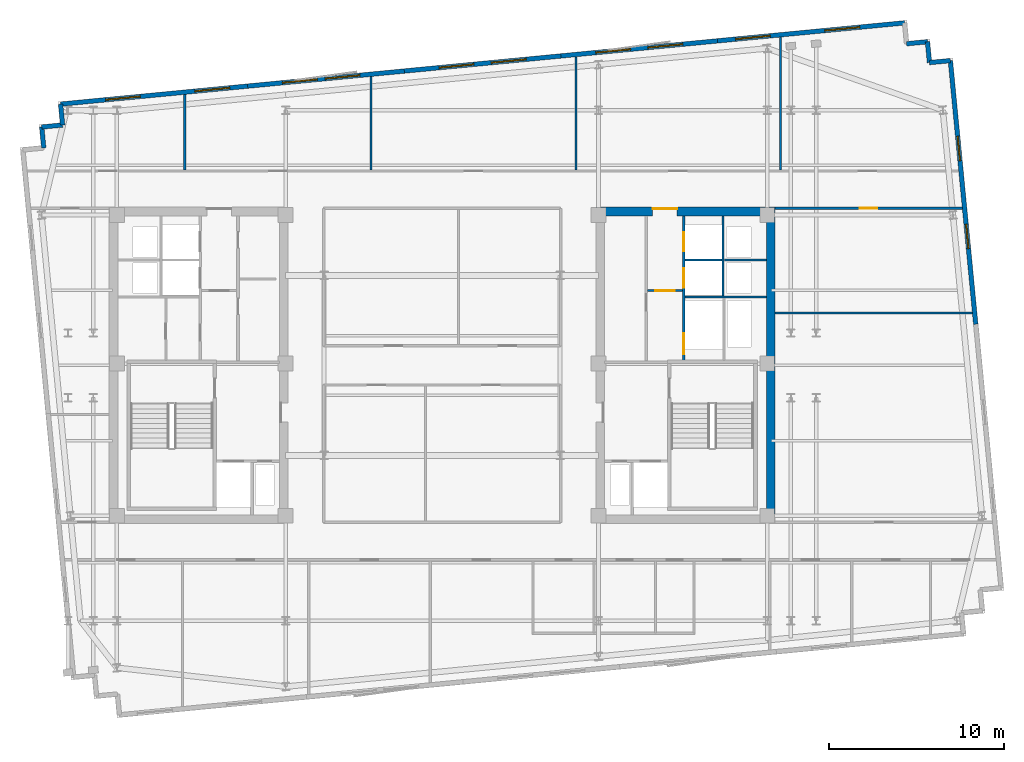
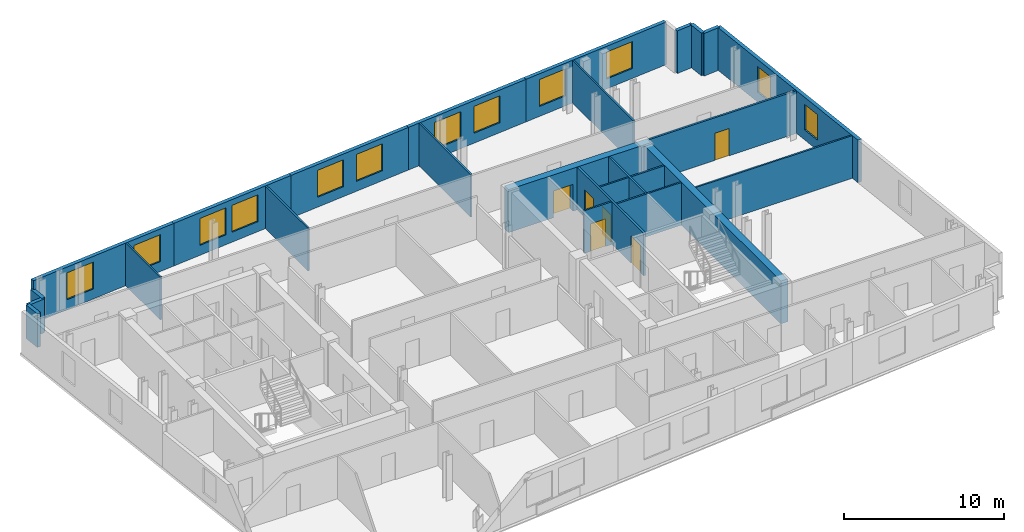
# One storey, part 6 of 9: 26 walls, 12 windows, 6 doors, 18 openings.
"""IFC4 building model written with IfcOpenShell, lengths in metres."""

import ifcopenshell
import ifcopenshell.guid

model = None  # the IFC model being written
_history = None  # IfcOwnerHistory: only IFC2X3 demands one
_inside = {}  # id of a spatial element -> (the spatial element, [elements in it])
_under = {}  # id of a project, library or spatial element -> (it, [spatial elements below it])
_declared = {}  # id of a project -> (the project, [libraries it declares])
_typed = {}  # id of a type object -> (the type object, [elements of that type])
_made_of = {}  # id of a material, layer set ... -> (it, [elements and type objects made of it])


def new_model(schema):
    """Start an empty IFC model of exactly this schema.

    Asked for "IFC4X3", IfcOpenShell would pick the latest addendum, in which some entities
    have other attributes; the version numbers below select the first issue.
    IFC2X3 requires an IfcOwnerHistory on every rooted entity: one is made here for all.
    """
    global model, _history
    if schema == "IFC4X3":
        model = ifcopenshell.file(schema_version=(4, 3, 0, 0))
    else:
        model = ifcopenshell.file(schema=schema)
    _inside.clear()
    _under.clear()
    _declared.clear()
    _typed.clear()
    _made_of.clear()
    _history = None
    if model.schema == "IFC2X3":
        org = make("IfcOrganization", Name="unknown")
        user = make(
            "IfcPersonAndOrganization",
            ThePerson=make("IfcPerson", FamilyName="unknown"),
            TheOrganization=org,
        )
        app = make(
            "IfcApplication",
            ApplicationDeveloper=org,
            Version="unknown",
            ApplicationFullName="unknown",
            ApplicationIdentifier="unknown",
        )
        _history = make(
            "IfcOwnerHistory",
            OwningUser=user,
            OwningApplication=app,
            ChangeAction="ADDED",
            CreationDate=0,
        )
    return model


def make(cls, **values):
    """One entity of the class cls with the attributes given. An attribute that is None is left unset."""
    return model.create_entity(
        cls, **{name: value for name, value in values.items() if value is not None}
    )


def rooted(cls, **values):
    """An entity with a GlobalId (a new one), such as an element, a storey or a relation."""
    return make(cls, GlobalId=ifcopenshell.guid.new(), OwnerHistory=_history, **values)


def si_unit(unit_type, name, prefix=None):
    """IfcSIUnit, for example si_unit("LENGTHUNIT", "METRE", prefix="MILLI")."""
    return make("IfcSIUnit", UnitType=unit_type, Prefix=prefix, Name=name)


def assignment(units):
    """IfcUnitAssignment: the units of a project."""
    return None if units is None else make("IfcUnitAssignment", Units=units)


def point(xyz):
    """IfcCartesianPoint."""
    return None if xyz is None else make("IfcCartesianPoint", Coordinates=xyz)


def direction(xyz):
    """IfcDirection."""
    return None if xyz is None else make("IfcDirection", DirectionRatios=xyz)


def frame(location, z_axis=None, x_axis=None):
    """IfcAxis2Placement3D, a coordinate frame: its origin and axes. An axis left out is left unset."""
    return make(
        "IfcAxis2Placement3D",
        Location=point(location),
        Axis=direction(z_axis),
        RefDirection=direction(x_axis),
    )


def frame_2d(location, x_axis=None):
    """IfcAxis2Placement2D, a coordinate frame in the plane: its origin and x axis."""
    return make(
        "IfcAxis2Placement2D", Location=point(location), RefDirection=direction(x_axis)
    )


def origin():
    """The frame at (0, 0, 0) with its axes left unset."""
    return frame((0.0, 0.0, 0.0))


def place(relative_to, where):
    """IfcLocalPlacement: puts the frame where relative to a parent placement (None: the world)."""
    return make(
        "IfcLocalPlacement", PlacementRelTo=relative_to, RelativePlacement=where
    )


def context(
    kind, dimensions, precision=None, world=None, true_north=None, identifier=None
):
    """IfcGeometricRepresentationContext, for example the 3D "Model" context."""
    return make(
        "IfcGeometricRepresentationContext",
        ContextIdentifier=identifier,
        ContextType=kind,
        CoordinateSpaceDimension=dimensions,
        Precision=precision,
        WorldCoordinateSystem=world,
        TrueNorth=true_north,
    )


def subcontext(parent, identifier, kind, view, scale=None):
    """IfcGeometricRepresentationSubContext, for example "Body" below "Model"."""
    return make(
        "IfcGeometricRepresentationSubContext",
        ContextIdentifier=identifier,
        ContextType=kind,
        ParentContext=parent,
        TargetScale=scale,
        TargetView=view,
    )


def project(units=None, contexts=None):
    """IfcProject with its units and contexts."""
    return rooted(
        "IfcProject",
        Name="project",
        RepresentationContexts=contexts,
        UnitsInContext=assignment(units),
    )


def spatial(cls, under=None, at=None, **own):
    """A site, building, storey or space (cls), placed at a placement, below another one or the project."""
    s = rooted(cls, ObjectPlacement=at, **own)
    if under is not None:
        _under.setdefault(under.id(), (under, []))[1].append(s)
    return s


def profile(cls, at=None, kind="AREA", **sizes):
    """A parametric profile (cls). Its sizes go by their IFC names, for example OverallWidth=200.0."""
    return make(cls, ProfileType=kind, Position=at, **sizes)


def rectangle(**sizes):
    """IfcRectangleProfileDef."""
    return profile("IfcRectangleProfileDef", **sizes)


def extrude(swept, where, along, depth):
    """IfcExtrudedAreaSolid: the profile swept, set in the frame where, extruded along a direction by depth."""
    return make(
        "IfcExtrudedAreaSolid",
        SweptArea=swept,
        Position=where,
        ExtrudedDirection=direction(along),
        Depth=depth,
    )


def shape(context_of_items, identifier, shape_type, items):
    """IfcShapeRepresentation: the items that make up one representation, for example the "Body"."""
    return make(
        "IfcShapeRepresentation",
        ContextOfItems=context_of_items,
        RepresentationIdentifier=identifier,
        RepresentationType=shape_type,
        Items=items,
    )


def material(Name=None, Category=None):
    """IfcMaterial."""
    return make("IfcMaterial", Name=Name, Category=Category)


def layer(
    of_material, thickness, ventilated=None, Name=None, Category=None, Priority=None
):
    """IfcMaterialLayer: one layer of a wall or slab, of a material (None: an air gap)."""
    return make(
        "IfcMaterialLayer",
        Material=of_material,
        LayerThickness=thickness,
        IsVentilated=ventilated,
        Name=Name,
        Category=Category,
        Priority=Priority,
    )


def layer_set(layers, Name=None):
    """IfcMaterialLayerSet."""
    return make("IfcMaterialLayerSet", MaterialLayers=layers, LayerSetName=Name)


def made_of(thing, what):
    """Note that an element or type object is made of a material, layer set ...; save() writes the relation."""
    if what is not None:
        _made_of.setdefault(what.id(), (what, []))[1].append(thing)
    return thing


def type_object(cls, material=None, **own):
    """A type object (cls), such as IfcWallType, which elements share."""
    return made_of(rooted(cls, **own), material)


def element(
    cls,
    number,
    at=None,
    inside=None,
    cuts=None,
    type_object=None,
    material=None,
    context=None,
    identifier="Body",
    shape_type=None,
    held_by="IfcProductDefinitionShape",
    body=None,
    shapes=None,
    **own,
):
    """One element of the class cls, such as IfcWall. Its Tag is "e" and its number.

    at: its placement. inside: the storey or other place that contains it. cuts: it is an
    opening in that element (IfcRelVoidsElement). A single representation is given by context,
    identifier, shape_type and body (its items); several are given by shapes. held_by: the class
    of the entity that holds the representations. save() writes the other relations.
    """
    e = rooted(cls, Tag="e%d" % number, ObjectPlacement=at, **own)
    if body is not None:
        shapes = [shape(context, identifier, shape_type, body)]
    if shapes is not None:
        e.Representation = make(held_by, Representations=shapes)
    if inside is not None:
        _inside.setdefault(inside.id(), (inside, []))[1].append(e)
    if cuts is not None:
        rooted(
            "IfcRelVoidsElement", RelatingBuildingElement=cuts, RelatedOpeningElement=e
        )
    if type_object is not None:
        _typed.setdefault(type_object.id(), (type_object, []))[1].append(e)
    return made_of(e, material)


def fill(opening, filler):
    """IfcRelFillsElement: the door or window that sits in an opening."""
    return rooted(
        "IfcRelFillsElement",
        RelatingOpeningElement=opening,
        RelatedBuildingElement=filler,
    )


def aggregate(whole, parts):
    """IfcRelAggregates: a whole, such as a stair, and the parts it consists of."""
    return rooted("IfcRelAggregates", RelatingObject=whole, RelatedObjects=parts)


def save(model, path):
    """Write the relations noted so far, then the file.

    IfcRelAggregates (storeys below a building ...), IfcRelContainedInSpatialStructure (elements
    in a storey), IfcRelDefinesByType, IfcRelAssociatesMaterial and IfcRelDeclares: one each for
    every whole, place, type object, material and project.
    """
    for whole, parts in _under.values():
        aggregate(whole, parts)
    for where, things in _inside.values():
        rooted(
            "IfcRelContainedInSpatialStructure",
            RelatedElements=things,
            RelatingStructure=where,
        )
    for kind, things in _typed.values():
        rooted("IfcRelDefinesByType", RelatedObjects=things, RelatingType=kind)
    for what, things in _made_of.values():
        rooted("IfcRelAssociatesMaterial", RelatedObjects=things, RelatingMaterial=what)
    for by, libraries in _declared.values():
        rooted("IfcRelDeclares", RelatingContext=by, RelatedDefinitions=libraries)
    model.write(path)


model = new_model("IFC4")

# Units and contexts
model_context = context("Model", 3, precision=1e-05, world=origin(), true_north=direction((0.0, 1.0)))
body_context = subcontext(model_context, "Body", "Model", "MODEL_VIEW")
ifc_project = project(units=[si_unit("LENGTHUNIT", "METRE"), si_unit("AREAUNIT", "SQUARE_METRE"), si_unit("VOLUMEUNIT", "CUBIC_METRE"), si_unit("PLANEANGLEUNIT", "RADIAN"), si_unit("MASSUNIT", "GRAM", prefix="KILO")], contexts=[model_context])

# Site, building, storey
site_placement = place(None, origin())
site = spatial("IfcSite", under=ifc_project, at=site_placement, CompositionType="ELEMENT")
building_placement = place(site_placement, origin())
building = spatial("IfcBuilding", under=site, at=building_placement, Name="Velakula Bourse", CompositionType="ELEMENT")
storey_placement = place(building_placement, frame((0.0, 0.0, 262.050048828125)))
storey = spatial("IfcBuildingStorey", under=building, at=storey_placement, Name="L71", CompositionType="ELEMENT", Elevation=262.050048828125)

# Wall, opening, door
ifc_material_1 = material(Name="Concrete M50 (fck 50 MPa)", Category="concrete")
ifc_layer_1 = layer(ifc_material_1, 0.5, Name="Concrete M50 (fck 50 MPa)", Category="concrete")
ifc_layer_set_1 = layer_set([ifc_layer_1], Name="Concrete M50 (fck 50 MPa)")
wall_type_1 = type_object("IfcWallType", Name="WL-CORE-500", PredefinedType="SHEAR", material=ifc_layer_set_1)
wall_1_placement = place(storey_placement, frame((8.800048828125, 8.800048828125, 0.0), z_axis=(0.0, 0.0, 1.0), x_axis=(1.0, 0.0, 0.0)))
wall_1 = element("IfcWall", 1, at=wall_1_placement, inside=storey, type_object=wall_type_1, Name="L71 Core E Shear Wall N", PredefinedType="SHEAR", context=body_context, shape_type="SweptSolid", body=[
    extrude(rectangle(XDim=10.25, YDim=0.5, at=frame_2d((5.125, 0.0))), origin(), (0.0, 0.0, 1.0), 3.27001953125),
])
opening_1_placement = place(wall_1_placement, frame((3.25, 0.0, 0.0)))
opening_1 = element("IfcOpeningElement", 2, at=opening_1_placement, cuts=wall_1, Name="Opening D-LLE", PredefinedType="OPENING", context=body_context, shape_type="SweptSolid", body=[
    extrude(rectangle(XDim=1.39990234375, YDim=2.050048828125, at=frame_2d((0.699951171875, 1.02490234375))), frame((0.0, 0.260009765625, 0.0), z_axis=(0.0, -1.0, 0.0), x_axis=(1.0, 0.0, 0.0)), (0.0, 0.0, 1.0), 0.52001953125),
])
ifc_material_2 = material(Name="Fire-rated hardwood flush architectural door", Category="wood")
door_type_1 = type_object("IfcDoorType", Name="DR-DBL-FD60-1400", OperationType="DOUBLE_DOOR_SINGLE_SWING", PredefinedType="DOOR", material=ifc_material_2)
door_1_placement = place(opening_1_placement, origin())
door_1 = element("IfcDoor", 3, at=door_1_placement, inside=storey, type_object=door_type_1, Name="L71 Core E Lift Lobby Corridor Double Door", OperationType="DOUBLE_DOOR_SINGLE_SWING", OverallHeight=2.050048828125, OverallWidth=1.39990234375, PredefinedType="DOOR", context=body_context, shape_type="SweptSolid", body=[
    extrude(rectangle(XDim=1.39990234375, YDim=2.050048828125, at=frame_2d((0.699951171875, 1.02490234375))), frame((0.0, 0.19482421875, 0.0), z_axis=(0.0, -1.0, 0.0), x_axis=(1.0, 0.0, 0.0)), (0.0, 0.0, 1.0), 0.050048828125),
])
fill(opening_1, door_1)

# Wall
wall_2_placement = place(storey_placement, frame((18.800048828125, -8.550048828125, 0.0), z_axis=(0.0, 0.0, 1.0), x_axis=(0.0, 1.0, 0.0)))
element("IfcWall", 4, at=wall_2_placement, inside=storey, type_object=wall_type_1, Name="L71 Core E Shear Wall E", PredefinedType="SHEAR", context=body_context, shape_type="SweptSolid", body=[
    extrude(rectangle(XDim=17.10009765625, YDim=0.5, at=frame_2d((8.550048828125, 0.0))), origin(), (0.0, 0.0, 1.0), 3.27001953125),
])

# Wall, openings, windows
ifc_material_3 = material(Name="Buff kilned clay facing brick masonry", Category="masonry")
ifc_layer_2 = layer(ifc_material_3, 0.260009765625, Name="Buff kilned clay facing brick masonry", Category="masonry")
ifc_layer_set_2 = layer_set([ifc_layer_2], Name="Buff kilned clay facing brick masonry")
wall_type_2 = type_object("IfcWallType", Name="WL-EXT-BRK-260", PredefinedType="STANDARD", material=ifc_layer_set_2)
wall_3_placement = place(storey_placement, frame((-21.820556640625, 14.94482421875, 0.0), z_axis=(0.0, 0.0, 1.0), x_axis=(0.995394787719, 0.095860401528, 0.0)))
wall_3 = element("IfcWall", 5, at=wall_3_placement, inside=storey, type_object=wall_type_2, Name="L71 N Brick Spandrel Wall B1", PredefinedType="STANDARD", context=body_context, shape_type="SweptSolid", body=[
    extrude(rectangle(XDim=10.750244140625, YDim=0.260009765625, at=frame_2d((5.375, 0.0))), origin(), (0.0, 0.0, 1.0), 3.25),
])
opening_2_placement = place(wall_3_placement, frame((2.583251953125, 0.0, 0.760009765625)))
opening_2 = element("IfcOpeningElement", 6, at=opening_2_placement, cuts=wall_3, Name="Opening W-05", PredefinedType="OPENING", context=body_context, shape_type="SweptSolid", body=[
    extrude(rectangle(XDim=2.0, YDim=2.050048828125, at=frame_2d((1.0, 1.02490234375))), frame((0.0, 0.139892578125, 0.0), z_axis=(0.0, -1.0, 0.0), x_axis=(1.0, 0.0, 0.0)), (0.0, 0.0, 1.0), 0.280029296875),
])
opening_3_placement = place(wall_3_placement, frame((7.716796875, 0.0, 0.760009765625)))
opening_3 = element("IfcOpeningElement", 7, at=opening_3_placement, cuts=wall_3, Name="Opening W-05", PredefinedType="OPENING", context=body_context, shape_type="SweptSolid", body=[
    extrude(rectangle(XDim=2.0, YDim=2.050048828125, at=frame_2d((1.0, 1.02490234375))), frame((0.0, 0.139892578125, 0.0), z_axis=(0.0, -1.0, 0.0), x_axis=(1.0, 0.0, 0.0)), (0.0, 0.0, 1.0), 0.280029296875),
])
ifc_material_4 = material(Name="Double-glazed solar-control Low-E glass", Category="glass")
window_type_1 = type_object("IfcWindowType", Name="WIN-TWR-2000x2200", PartitioningType="DOUBLE_PANEL_VERTICAL", PredefinedType="WINDOW", material=ifc_material_4)
window_1_placement = place(opening_2_placement, origin())
window_1 = element("IfcWindow", 8, at=window_1_placement, inside=storey, type_object=window_type_1, Name="L71 Deep-Set Recessed Window 1", OverallHeight=2.050048828125, OverallWidth=2.0, PartitioningType="DOUBLE_PANEL_VERTICAL", PredefinedType="WINDOW", context=body_context, shape_type="SweptSolid", body=[
    extrude(rectangle(XDim=2.0, YDim=2.050048828125, at=frame_2d((1.0, 1.02490234375))), frame((0.0, 0.030029296875, 0.0), z_axis=(0.0, -1.0, 0.0), x_axis=(1.0, 0.0, 0.0)), (0.0, 0.0, 1.0), 0.06005859375),
])
fill(opening_2, window_1)
window_2_placement = place(opening_3_placement, origin())
window_2 = element("IfcWindow", 9, at=window_2_placement, inside=storey, type_object=window_type_1, Name="L71 Deep-Set Recessed Window 2", OverallHeight=2.050048828125, OverallWidth=2.0, PartitioningType="DOUBLE_PANEL_VERTICAL", PredefinedType="WINDOW", context=body_context, shape_type="SweptSolid", body=[
    extrude(rectangle(XDim=2.0, YDim=2.050048828125, at=frame_2d((1.0, 1.02490234375))), frame((0.0, 0.030029296875, 0.0), z_axis=(0.0, -1.0, 0.0), x_axis=(1.0, 0.0, 0.0)), (0.0, 0.0, 1.0), 0.06005859375),
])
fill(opening_3, window_2)

wall_4_placement = place(storey_placement, frame((-11.119873046875, 15.975341796875, 0.0), z_axis=(0.0, 0.0, 1.0), x_axis=(0.995396794462, 0.09583956164, 0.0)))
wall_4 = element("IfcWall", 10, at=wall_4_placement, inside=storey, type_object=wall_type_2, Name="L71 N Brick Spandrel Wall B2", PredefinedType="STANDARD", context=body_context, shape_type="SweptSolid", body=[
    extrude(rectangle(XDim=9.0, YDim=0.260009765625, at=frame_2d((4.5, 0.0))), origin(), (0.0, 0.0, 1.0), 3.25),
])
opening_4_placement = place(wall_4_placement, frame((2.0, 0.0, 0.760009765625)))
opening_4 = element("IfcOpeningElement", 11, at=opening_4_placement, cuts=wall_4, Name="Opening W-05", PredefinedType="OPENING", context=body_context, shape_type="SweptSolid", body=[
    extrude(rectangle(XDim=2.0, YDim=2.050048828125, at=frame_2d((1.0, 1.02490234375))), frame((0.0, 0.139892578125, 0.0), z_axis=(0.0, -1.0, 0.0), x_axis=(1.0, 0.0, 0.0)), (0.0, 0.0, 1.0), 0.280029296875),
])
opening_5_placement = place(wall_4_placement, frame((4.449951171875, 0.0, 0.760009765625)))
opening_5 = element("IfcOpeningElement", 12, at=opening_5_placement, cuts=wall_4, Name="Opening W-05", PredefinedType="OPENING", context=body_context, shape_type="SweptSolid", body=[
    extrude(rectangle(XDim=2.0, YDim=2.050048828125, at=frame_2d((1.0, 1.02490234375))), frame((0.0, 0.139892578125, 0.0), z_axis=(0.0, -1.0, 0.0), x_axis=(1.0, 0.0, 0.0)), (0.0, 0.0, 1.0), 0.280029296875),
])
window_3_placement = place(opening_4_placement, origin())
window_3 = element("IfcWindow", 13, at=window_3_placement, inside=storey, type_object=window_type_1, Name="L71 Deep-Set Recessed Window 1", OverallHeight=2.050048828125, OverallWidth=2.0, PartitioningType="DOUBLE_PANEL_VERTICAL", PredefinedType="WINDOW", context=body_context, shape_type="SweptSolid", body=[
    extrude(rectangle(XDim=2.0, YDim=2.050048828125, at=frame_2d((1.0, 1.02490234375))), frame((0.0, 0.030029296875, 0.0), z_axis=(0.0, -1.0, 0.0), x_axis=(1.0, 0.0, 0.0)), (0.0, 0.0, 1.0), 0.06005859375),
])
fill(opening_4, window_3)
window_4_placement = place(opening_5_placement, origin())
window_4 = element("IfcWindow", 14, at=window_4_placement, inside=storey, type_object=window_type_1, Name="L71 Deep-Set Recessed Window 2", OverallHeight=2.050048828125, OverallWidth=2.0, PartitioningType="DOUBLE_PANEL_VERTICAL", PredefinedType="WINDOW", context=body_context, shape_type="SweptSolid", body=[
    extrude(rectangle(XDim=2.0, YDim=2.050048828125, at=frame_2d((1.0, 1.02490234375))), frame((0.0, 0.030029296875, 0.0), z_axis=(0.0, -1.0, 0.0), x_axis=(1.0, 0.0, 0.0)), (0.0, 0.0, 1.0), 0.06005859375),
])
fill(opening_5, window_4)

wall_5_placement = place(storey_placement, frame((-2.161376953125, 16.837890625, 0.0), z_axis=(0.0, 0.0, 1.0), x_axis=(0.995396794462, 0.09583956164, 0.0)))
wall_5 = element("IfcWall", 15, at=wall_5_placement, inside=storey, type_object=wall_type_2, Name="L71 N Brick Spandrel Wall B3", PredefinedType="STANDARD", context=body_context, shape_type="SweptSolid", body=[
    extrude(rectangle(XDim=9.0, YDim=0.260009765625, at=frame_2d((4.5, 0.0))), origin(), (0.0, 0.0, 1.0), 3.25),
])
opening_6_placement = place(wall_5_placement, frame((2.0, 0.0, 0.760009765625)))
opening_6 = element("IfcOpeningElement", 16, at=opening_6_placement, cuts=wall_5, Name="Opening W-05", PredefinedType="OPENING", context=body_context, shape_type="SweptSolid", body=[
    extrude(rectangle(XDim=2.0, YDim=2.050048828125, at=frame_2d((1.0, 1.02490234375))), frame((0.0, 0.139892578125, 0.0), z_axis=(0.0, -1.0, 0.0), x_axis=(1.0, 0.0, 0.0)), (0.0, 0.0, 1.0), 0.280029296875),
])
opening_7_placement = place(wall_5_placement, frame((5.0, 0.0, 0.760009765625)))
opening_7 = element("IfcOpeningElement", 17, at=opening_7_placement, cuts=wall_5, Name="Opening W-05", PredefinedType="OPENING", context=body_context, shape_type="SweptSolid", body=[
    extrude(rectangle(XDim=2.0, YDim=2.050048828125, at=frame_2d((1.0, 1.02490234375))), frame((0.0, 0.139892578125, 0.0), z_axis=(0.0, -1.0, 0.0), x_axis=(1.0, 0.0, 0.0)), (0.0, 0.0, 1.0), 0.280029296875),
])
window_5_placement = place(opening_6_placement, origin())
window_5 = element("IfcWindow", 18, at=window_5_placement, inside=storey, type_object=window_type_1, Name="L71 Deep-Set Recessed Window 1", OverallHeight=2.050048828125, OverallWidth=2.0, PartitioningType="DOUBLE_PANEL_VERTICAL", PredefinedType="WINDOW", context=body_context, shape_type="SweptSolid", body=[
    extrude(rectangle(XDim=2.0, YDim=2.050048828125, at=frame_2d((1.0, 1.02490234375))), frame((0.0, 0.030029296875, 0.0), z_axis=(0.0, -1.0, 0.0), x_axis=(1.0, 0.0, 0.0)), (0.0, 0.0, 1.0), 0.06005859375),
])
fill(opening_6, window_5)
window_6_placement = place(opening_7_placement, origin())
window_6 = element("IfcWindow", 19, at=window_6_placement, inside=storey, type_object=window_type_1, Name="L71 Deep-Set Recessed Window 2", OverallHeight=2.050048828125, OverallWidth=2.0, PartitioningType="DOUBLE_PANEL_VERTICAL", PredefinedType="WINDOW", context=body_context, shape_type="SweptSolid", body=[
    extrude(rectangle(XDim=2.0, YDim=2.050048828125, at=frame_2d((1.0, 1.02490234375))), frame((0.0, 0.030029296875, 0.0), z_axis=(0.0, -1.0, 0.0), x_axis=(1.0, 0.0, 0.0)), (0.0, 0.0, 1.0), 0.06005859375),
])
fill(opening_7, window_6)

wall_6_placement = place(storey_placement, frame((6.797119140625, 17.700439453125, 0.0), z_axis=(0.0, 0.0, 1.0), x_axis=(0.995394455533, 0.09586385082, 0.0)))
wall_6 = element("IfcWall", 20, at=wall_6_placement, inside=storey, type_object=wall_type_2, Name="L71 N Brick Spandrel Wall B4", PredefinedType="STANDARD", context=body_context, shape_type="SweptSolid", body=[
    extrude(rectangle(XDim=9.000244140625, YDim=0.260009765625, at=frame_2d((4.5, 0.0))), origin(), (0.0, 0.0, 1.0), 3.25),
])
opening_8_placement = place(wall_6_placement, frame((2.0, 0.0, 0.760009765625)))
opening_8 = element("IfcOpeningElement", 21, at=opening_8_placement, cuts=wall_6, Name="Opening W-05", PredefinedType="OPENING", context=body_context, shape_type="SweptSolid", body=[
    extrude(rectangle(XDim=2.0, YDim=2.050048828125, at=frame_2d((1.0, 1.02490234375))), frame((0.0, 0.139892578125, 0.0), z_axis=(0.0, -1.0, 0.0), x_axis=(1.0, 0.0, 0.0)), (0.0, 0.0, 1.0), 0.280029296875),
])
opening_9_placement = place(wall_6_placement, frame((5.0, 0.0, 0.760009765625)))
opening_9 = element("IfcOpeningElement", 22, at=opening_9_placement, cuts=wall_6, Name="Opening W-05", PredefinedType="OPENING", context=body_context, shape_type="SweptSolid", body=[
    extrude(rectangle(XDim=2.0, YDim=2.050048828125, at=frame_2d((1.0, 1.02490234375))), frame((0.0, 0.139892578125, 0.0), z_axis=(0.0, -1.0, 0.0), x_axis=(1.0, 0.0, 0.0)), (0.0, 0.0, 1.0), 0.280029296875),
])
window_7_placement = place(opening_8_placement, origin())
window_7 = element("IfcWindow", 23, at=window_7_placement, inside=storey, type_object=window_type_1, Name="L71 Deep-Set Recessed Window 1", OverallHeight=2.050048828125, OverallWidth=2.0, PartitioningType="DOUBLE_PANEL_VERTICAL", PredefinedType="WINDOW", context=body_context, shape_type="SweptSolid", body=[
    extrude(rectangle(XDim=2.0, YDim=2.050048828125, at=frame_2d((1.0, 1.02490234375))), frame((0.0, 0.030029296875, 0.0), z_axis=(0.0, -1.0, 0.0), x_axis=(1.0, 0.0, 0.0)), (0.0, 0.0, 1.0), 0.06005859375),
])
fill(opening_8, window_7)
window_8_placement = place(opening_9_placement, origin())
window_8 = element("IfcWindow", 24, at=window_8_placement, inside=storey, type_object=window_type_1, Name="L71 Deep-Set Recessed Window 2", OverallHeight=2.050048828125, OverallWidth=2.0, PartitioningType="DOUBLE_PANEL_VERTICAL", PredefinedType="WINDOW", context=body_context, shape_type="SweptSolid", body=[
    extrude(rectangle(XDim=2.0, YDim=2.050048828125, at=frame_2d((1.0, 1.02490234375))), frame((0.0, 0.030029296875, 0.0), z_axis=(0.0, -1.0, 0.0), x_axis=(1.0, 0.0, 0.0)), (0.0, 0.0, 1.0), 0.06005859375),
])
fill(opening_9, window_8)

wall_7_placement = place(storey_placement, frame((15.755859375, 18.563232421875, 0.0), z_axis=(0.0, 0.0, 1.0), x_axis=(0.995396745868, 0.095840066339, 0.0)))
wall_7 = element("IfcWall", 25, at=wall_7_placement, inside=storey, type_object=wall_type_2, Name="L71 N Brick Spandrel Wall B5", PredefinedType="STANDARD", context=body_context, shape_type="SweptSolid", body=[
    extrude(rectangle(XDim=10.75, YDim=0.260009765625, at=frame_2d((5.375, 0.0))), origin(), (0.0, 0.0, 1.0), 3.25),
])
opening_10_placement = place(wall_7_placement, frame((1.033203125, 0.0, 0.760009765625)))
opening_10 = element("IfcOpeningElement", 26, at=opening_10_placement, cuts=wall_7, Name="Opening W-05", PredefinedType="OPENING", context=body_context, shape_type="SweptSolid", body=[
    extrude(rectangle(XDim=2.0, YDim=2.050048828125, at=frame_2d((1.0, 1.02490234375))), frame((0.0, 0.139892578125, 0.0), z_axis=(0.0, -1.0, 0.0), x_axis=(1.0, 0.0, 0.0)), (0.0, 0.0, 1.0), 0.280029296875),
])
opening_11_placement = place(wall_7_placement, frame((6.166748046875, 0.0, 0.760009765625)))
opening_11 = element("IfcOpeningElement", 27, at=opening_11_placement, cuts=wall_7, Name="Opening W-05", PredefinedType="OPENING", context=body_context, shape_type="SweptSolid", body=[
    extrude(rectangle(XDim=2.0, YDim=2.050048828125, at=frame_2d((1.0, 1.02490234375))), frame((0.0, 0.139892578125, 0.0), z_axis=(0.0, -1.0, 0.0), x_axis=(1.0, 0.0, 0.0)), (0.0, 0.0, 1.0), 0.280029296875),
])
window_9_placement = place(opening_10_placement, origin())
window_9 = element("IfcWindow", 28, at=window_9_placement, inside=storey, type_object=window_type_1, Name="L71 Deep-Set Recessed Window 1", OverallHeight=2.050048828125, OverallWidth=2.0, PartitioningType="DOUBLE_PANEL_VERTICAL", PredefinedType="WINDOW", context=body_context, shape_type="SweptSolid", body=[
    extrude(rectangle(XDim=2.0, YDim=2.050048828125, at=frame_2d((1.0, 1.02490234375))), frame((0.0, 0.030029296875, 0.0), z_axis=(0.0, -1.0, 0.0), x_axis=(1.0, 0.0, 0.0)), (0.0, 0.0, 1.0), 0.06005859375),
])
fill(opening_10, window_9)
window_10_placement = place(opening_11_placement, origin())
window_10 = element("IfcWindow", 29, at=window_10_placement, inside=storey, type_object=window_type_1, Name="L71 Deep-Set Recessed Window 2", OverallHeight=2.050048828125, OverallWidth=2.0, PartitioningType="DOUBLE_PANEL_VERTICAL", PredefinedType="WINDOW", context=body_context, shape_type="SweptSolid", body=[
    extrude(rectangle(XDim=2.0, YDim=2.050048828125, at=frame_2d((1.0, 1.02490234375))), frame((0.0, 0.030029296875, 0.0), z_axis=(0.0, -1.0, 0.0), x_axis=(1.0, 0.0, 0.0)), (0.0, 0.0, 1.0), 0.06005859375),
])
fill(opening_11, window_10)

wall_8_placement = place(storey_placement, frame((29.0751953125, 17.4345703125, 0.0), z_axis=(0.0, 0.0, 1.0), x_axis=(0.095850890337, -0.995395703638, 0.0)))
wall_8 = element("IfcWall", 30, at=wall_8_placement, inside=storey, type_object=wall_type_2, Name="L71 E Brick End Wall W2", PredefinedType="STANDARD", context=body_context, shape_type="SweptSolid", body=[
    extrude(rectangle(XDim=15.150146484375, YDim=0.260009765625, at=frame_2d((7.5751953125, 0.0))), origin(), (0.0, 0.0, 1.0), 3.25),
])
opening_12_placement = place(wall_8_placement, frame((4.35009765625, 0.0, 0.760009765625)))
opening_12 = element("IfcOpeningElement", 31, at=opening_12_placement, cuts=wall_8, Name="Opening W-03", PredefinedType="OPENING", context=body_context, shape_type="SweptSolid", body=[
    extrude(rectangle(XDim=1.39990234375, YDim=1.949951171875, at=frame_2d((0.699951171875, 0.97509765625))), frame((0.0, 0.139892578125, 0.0), z_axis=(0.0, -1.0, 0.0), x_axis=(1.0, 0.0, 0.0)), (0.0, 0.0, 1.0), 0.280029296875),
])
opening_13_placement = place(wall_8_placement, frame((9.39990234375, 0.0, 0.760009765625)))
opening_13 = element("IfcOpeningElement", 32, at=opening_13_placement, cuts=wall_8, Name="Opening W-03", PredefinedType="OPENING", context=body_context, shape_type="SweptSolid", body=[
    extrude(rectangle(XDim=1.39990234375, YDim=1.949951171875, at=frame_2d((0.699951171875, 0.97509765625))), frame((0.0, 0.139892578125, 0.0), z_axis=(0.0, -1.0, 0.0), x_axis=(1.0, 0.0, 0.0)), (0.0, 0.0, 1.0), 0.280029296875),
])
window_type_2 = type_object("IfcWindowType", Name="WIN-TWR-1400x2100", PartitioningType="SINGLE_PANEL", PredefinedType="WINDOW", material=ifc_material_4)
window_11_placement = place(opening_12_placement, origin())
window_11 = element("IfcWindow", 33, at=window_11_placement, inside=storey, type_object=window_type_2, Name="L71 Deep-Set Recessed Window 1", OverallHeight=1.949951171875, OverallWidth=1.39990234375, PartitioningType="SINGLE_PANEL", PredefinedType="WINDOW", context=body_context, shape_type="SweptSolid", body=[
    extrude(rectangle(XDim=1.39990234375, YDim=1.949951171875, at=frame_2d((0.699951171875, 0.97509765625))), frame((0.0, 0.030029296875, 0.0), z_axis=(0.0, -1.0, 0.0), x_axis=(1.0, 0.0, 0.0)), (0.0, 0.0, 1.0), 0.06005859375),
])
fill(opening_12, window_11)
window_12_placement = place(opening_13_placement, origin())
window_12 = element("IfcWindow", 34, at=window_12_placement, inside=storey, type_object=window_type_2, Name="L71 Deep-Set Recessed Window 2", OverallHeight=1.949951171875, OverallWidth=1.39990234375, PartitioningType="SINGLE_PANEL", PredefinedType="WINDOW", context=body_context, shape_type="SweptSolid", body=[
    extrude(rectangle(XDim=1.39990234375, YDim=1.949951171875, at=frame_2d((0.699951171875, 0.97509765625))), frame((0.0, 0.030029296875, 0.0), z_axis=(0.0, -1.0, 0.0), x_axis=(1.0, 0.0, 0.0)), (0.0, 0.0, 1.0), 0.06005859375),
])
fill(opening_13, window_12)

# Walls
for number, where, z_axis, x_axis, name in (
    (35, (29.0751953125, 17.4345703125, 0.0), (0.0, 0.0, 1.0), (-0.995397091755, -0.095836473879, 0.0), "L71 Serrated Corner Brick Wall NE-1"),
    (36, (27.880859375, 17.319580078125, 0.0), (0.0, 0.0, 1.0), (-0.095836473879, 0.995397091755, 0.0), "L71 Serrated Corner Brick Wall NE-2"),
):
    element("IfcWall", number, at=place(storey_placement, frame(where, z_axis=z_axis, x_axis=x_axis)), inside=storey, type_object=wall_type_2, Name=name, PredefinedType="STANDARD", context=body_context, shape_type="SweptSolid", body=[
        extrude(rectangle(XDim=1.199951171875, YDim=0.260009765625, at=frame_2d((0.60009765625, 0.0))), origin(), (0.0, 0.0, 1.0), 3.25),
    ])
wall_9_placement = place(storey_placement, frame((27.765869140625, 18.513916015625, 0.0), z_axis=(0.0, 0.0, 1.0), x_axis=(-0.995398960025, -0.095817067274, 0.0)))
element("IfcWall", 37, at=wall_9_placement, inside=storey, type_object=wall_type_2, Name="L71 Serrated Corner Brick Wall NE-3", PredefinedType="STANDARD", context=body_context, shape_type="SweptSolid", body=[
    extrude(rectangle(XDim=1.2001953125, YDim=0.260009765625, at=frame_2d((0.60009765625, 0.0))), origin(), (0.0, 0.0, 1.0), 3.25),
])
wall_10_placement = place(storey_placement, frame((-21.820556640625, 14.94482421875, 0.0), z_axis=(0.0, 0.0, 1.0), x_axis=(0.096038073607, -0.995377661201, 0.0)))
element("IfcWall", 38, at=wall_10_placement, inside=storey, type_object=wall_type_2, Name="L71 Serrated Corner Brick Wall NW-1", PredefinedType="STANDARD", context=body_context, shape_type="SweptSolid", body=[
    extrude(rectangle(XDim=1.199951171875, YDim=0.260009765625, at=frame_2d((0.60009765625, 0.0))), origin(), (0.0, 0.0, 1.0), 2.56494140625),
])
for number, where, z_axis, x_axis, name in (
    (39, (-21.705322265625, 13.75048828125, 0.0), (0.0, 0.0, 1.0), (-0.995398960025, -0.095817067274, 0.0), "L71 Serrated Corner Brick Wall NW-2"),
    (40, (-22.89990234375, 13.635498046875, 0.0), (0.0, 0.0, 1.0), (0.095817067274, -0.995398960025, 0.0), "L71 Serrated Corner Brick Wall NW-3"),
):
    element("IfcWall", number, at=place(storey_placement, frame(where, z_axis=z_axis, x_axis=x_axis)), inside=storey, type_object=wall_type_2, Name=name, PredefinedType="STANDARD", context=body_context, shape_type="SweptSolid", body=[
        extrude(rectangle(XDim=1.2001953125, YDim=0.260009765625, at=frame_2d((0.60009765625, 0.0))), origin(), (0.0, 0.0, 1.0), 2.56494140625),
    ])

# Wall, opening, door
ifc_material_5 = material(Name="Fire-rated double-layer gypsum drywall partition", Category="gypsum")
ifc_layer_3 = layer(ifc_material_5, 0.1201171875, Name="Fire-rated double-layer gypsum drywall partition", Category="gypsum")
ifc_layer_set_3 = layer_set([ifc_layer_3], Name="Fire-rated double-layer gypsum drywall partition")
wall_type_3 = type_object("IfcWallType", Name="WL-PART-120", PredefinedType="STANDARD", material=ifc_layer_set_3)
wall_11_placement = place(storey_placement, frame((11.75, 4.280029296875, 0.0), z_axis=(0.0, 0.0, 1.0), x_axis=(1.0, 0.0, 0.0)))
wall_11 = element("IfcWall", 41, at=wall_11_placement, inside=storey, type_object=wall_type_3, Name="L71 Interior Partition WL-CRE-L71-LL-K2", PredefinedType="STANDARD", context=body_context, shape_type="SweptSolid", body=[
    extrude(rectangle(XDim=2.0, YDim=0.1201171875, at=frame_2d((1.0, 0.0))), origin(), (0.0, 0.0, 1.0), 3.25),
])
opening_14_placement = place(wall_11_placement, frame((0.449951171875, 0.0, 0.0)))
opening_14 = element("IfcOpeningElement", 42, at=opening_14_placement, cuts=wall_11, Name="Opening D-LK2", PredefinedType="OPENING", context=body_context, shape_type="SweptSolid", body=[
    extrude(rectangle(XDim=1.10009765625, YDim=2.10009765625, at=frame_2d((0.550048828125, 1.050048828125))), frame((0.0, 0.070068359375, 0.0), z_axis=(0.0, -1.0, 0.0), x_axis=(1.0, 0.0, 0.0)), (0.0, 0.0, 1.0), 0.14013671875),
])
door_type_2 = type_object("IfcDoorType", Name="DR-FD60-1100x2100", OperationType="NOTDEFINED", PredefinedType="DOOR", material=ifc_material_2)
door_2_placement = place(opening_14_placement, origin())
door_2 = element("IfcDoor", 43, at=door_2_placement, inside=storey, type_object=door_type_2, Name="L71 Core E Lift Lobby Zone Door", OperationType="SINGLE_SWING_LEFT", OverallHeight=2.10009765625, OverallWidth=1.10009765625, PredefinedType="DOOR", context=body_context, shape_type="SweptSolid", body=[
    extrude(rectangle(XDim=1.10009765625, YDim=2.10009765625, at=frame_2d((0.550048828125, 1.050048828125))), frame((0.0, 0.02490234375, 0.0), z_axis=(0.0, -1.0, 0.0), x_axis=(1.0, 0.0, 0.0)), (0.0, 0.0, 1.0), 0.050048828125),
])
fill(opening_14, door_2)

# Walls
wall_12_placement = place(storey_placement, frame((13.89990234375, 3.919921875, 0.0), z_axis=(0.0, 0.0, 1.0), x_axis=(1.0, 0.0, 0.0)))
element("IfcWall", 44, at=wall_12_placement, inside=storey, type_object=wall_type_3, Name="L71 Interior Partition WL-CRE-L71-HI-S", PredefinedType="STANDARD", context=body_context, shape_type="SweptSolid", body=[
    extrude(rectangle(XDim=4.650146484375, YDim=0.1201171875, at=frame_2d((2.3251953125, 0.0))), origin(), (0.0, 0.0, 1.0), 3.25),
])
wall_13_placement = place(storey_placement, frame((16.14990234375, 6.030029296875, 0.0), z_axis=(0.0, 0.0, 1.0), x_axis=(1.0, 0.0, 0.0)))
element("IfcWall", 45, at=wall_13_placement, inside=storey, type_object=wall_type_3, Name="L71 Interior Partition WL-CRE-L71-RIS-MID", PredefinedType="STANDARD", context=body_context, shape_type="SweptSolid", body=[
    extrude(rectangle(XDim=2.400146484375, YDim=0.1201171875, at=frame_2d((1.2001953125, 0.0))), origin(), (0.0, 0.0, 1.0), 3.25),
])
wall_14_placement = place(storey_placement, frame((16.074951171875, 3.97998046875, 0.0), z_axis=(0.0, 0.0, 1.0), x_axis=(0.0, 1.0, 0.0)))
element("IfcWall", 46, at=wall_14_placement, inside=storey, type_object=wall_type_3, Name="L71 Interior Partition WL-CRE-L71-RIS-F", PredefinedType="STANDARD", context=body_context, shape_type="SweptSolid", body=[
    extrude(rectangle(XDim=4.570068359375, YDim=0.1201171875, at=frame_2d((2.28515625, 0.0))), origin(), (0.0, 0.0, 1.0), 3.25),
])
wall_15_placement = place(storey_placement, frame((13.89990234375, 6.030029296875, 0.0), z_axis=(0.0, 0.0, 1.0), x_axis=(1.0, 0.0, 0.0)))
element("IfcWall", 47, at=wall_15_placement, inside=storey, type_object=wall_type_3, Name="L71 Interior Partition WL-CRE-L71-HI-DIV", PredefinedType="STANDARD", context=body_context, shape_type="SweptSolid", body=[
    extrude(rectangle(XDim=2.10009765625, YDim=0.1201171875, at=frame_2d((1.050048828125, 0.0))), origin(), (0.0, 0.0, 1.0), 3.25),
])
wall_16_placement = place(storey_placement, frame((-14.718017578125, 11.18994140625, 0.0), z_axis=(0.0, 0.0, 1.0), x_axis=(0.0, 1.0, 0.0)))
element("IfcWall", 48, at=wall_16_placement, inside=storey, type_object=wall_type_3, Name="L71 Interior Partition WL-INT-L71-N-D1", PredefinedType="STANDARD", context=body_context, shape_type="SweptSolid", body=[
    extrude(rectangle(XDim=4.308349609375, YDim=0.1201171875, at=frame_2d((2.154296875, 0.0))), origin(), (0.0, 0.0, 1.0), 3.25),
])
wall_17_placement = place(storey_placement, frame((-4.06689453125, 11.18994140625, 0.0), z_axis=(0.0, 0.0, 1.0), x_axis=(0.0, 1.0, 0.0)))
element("IfcWall", 49, at=wall_17_placement, inside=storey, type_object=wall_type_3, Name="L71 Interior Partition WL-INT-L71-N-D2", PredefinedType="STANDARD", context=body_context, shape_type="SweptSolid", body=[
    extrude(rectangle(XDim=5.333740234375, YDim=0.1201171875, at=frame_2d((2.6669921875, 0.0))), origin(), (0.0, 0.0, 1.0), 3.25),
])
wall_18_placement = place(storey_placement, frame((7.64990234375, 11.18994140625, 0.0), z_axis=(0.0, 0.0, 1.0), x_axis=(0.0, 1.0, 0.0)))
element("IfcWall", 50, at=wall_18_placement, inside=storey, type_object=wall_type_3, Name="L71 Interior Partition WL-INT-L71-N-D3", PredefinedType="STANDARD", context=body_context, shape_type="SweptSolid", body=[
    extrude(rectangle(XDim=6.462158203125, YDim=0.1201171875, at=frame_2d((3.23095703125, 0.0))), origin(), (0.0, 0.0, 1.0), 3.25),
])
wall_19_placement = place(storey_placement, frame((19.366943359375, 11.18994140625, 0.0), z_axis=(0.0, 0.0, 1.0), x_axis=(0.0, 1.0, 0.0)))
element("IfcWall", 51, at=wall_19_placement, inside=storey, type_object=wall_type_3, Name="L71 Interior Partition WL-INT-L71-N-D4", PredefinedType="STANDARD", context=body_context, shape_type="SweptSolid", body=[
    extrude(rectangle(XDim=7.59033203125, YDim=0.1201171875, at=frame_2d((3.795166015625, 0.0))), origin(), (0.0, 0.0, 1.0), 3.25),
])
wall_20_placement = place(storey_placement, frame((19.050048828125, 3.0, 0.0), z_axis=(0.0, 0.0, 1.0), x_axis=(1.0, 0.0, 0.0)))
element("IfcWall", 52, at=wall_20_placement, inside=storey, type_object=wall_type_3, Name="L71 Interior Partition WL-INT-L71-E-H", PredefinedType="STANDARD", context=body_context, shape_type="SweptSolid", body=[
    extrude(rectangle(XDim=11.284423828125, YDim=0.1201171875, at=frame_2d((5.64208984375, 0.0))), origin(), (0.0, 0.0, 1.0), 3.25),
])

# Wall, opening, door
ifc_layer_4 = layer(ifc_material_5, 0.139892578125, Name="Fire-rated double-layer gypsum drywall partition", Category="gypsum")
ifc_layer_set_4 = layer_set([ifc_layer_4], Name="Fire-rated double-layer gypsum drywall partition")
wall_type_4 = type_object("IfcWallType", Name="WL-PART-140", PredefinedType="STANDARD", material=ifc_layer_set_4)
wall_21_placement = place(storey_placement, frame((19.050048828125, 8.97998046875, 0.0), z_axis=(0.0, 0.0, 1.0), x_axis=(1.0, 0.0, 0.0)))
wall_21 = element("IfcWall", 53, at=wall_21_placement, inside=storey, type_object=wall_type_4, Name="L71 Interior Partition WL-INT-L71-E-NC", PredefinedType="STANDARD", context=body_context, shape_type="SweptSolid", body=[
    extrude(rectangle(XDim=10.708740234375, YDim=0.139892578125, at=frame_2d((5.3544921875, 0.0))), origin(), (0.0, 0.0, 1.0), 3.25),
])
opening_15_placement = place(wall_21_placement, frame((4.8544921875, 0.0, 0.0)))
opening_15 = element("IfcOpeningElement", 54, at=opening_15_placement, cuts=wall_21, Name="Opening D-OF1", PredefinedType="OPENING", context=body_context, shape_type="SweptSolid", body=[
    extrude(rectangle(XDim=1.0, YDim=2.080078125, at=frame_2d((0.5, 1.0400390625))), frame((0.0, 0.079833984375, 0.0), z_axis=(0.0, -1.0, 0.0), x_axis=(1.0, 0.0, 0.0)), (0.0, 0.0, 1.0), 0.159912109375),
])
door_type_3 = type_object("IfcDoorType", Name="DR-OFF-1000", OperationType="NOTDEFINED", PredefinedType="DOOR", material=ifc_material_2)
door_3_placement = place(opening_15_placement, origin())
door_3 = element("IfcDoor", 55, at=door_3_placement, inside=storey, type_object=door_type_3, Name="L71 Company Secretary Office Door", OperationType="SINGLE_SWING_LEFT", OverallHeight=2.080078125, OverallWidth=1.0, PredefinedType="DOOR", context=body_context, shape_type="SweptSolid", body=[
    extrude(rectangle(XDim=1.0, YDim=2.080078125, at=frame_2d((0.5, 1.0400390625))), frame((0.0, 0.02490234375, 0.0), z_axis=(0.0, -1.0, 0.0), x_axis=(1.0, 0.0, 0.0)), (0.0, 0.0, 1.0), 0.050048828125),
])
fill(opening_15, door_3)

# Wall, openings, doors
ifc_material_6 = material(Name="Autoclaved aerated concrete blockwork masonry", Category="masonry")
ifc_layer_5 = layer(ifc_material_6, 0.14990234375, Name="Autoclaved aerated concrete blockwork masonry", Category="masonry")
ifc_layer_set_5 = layer_set([ifc_layer_5], Name="Autoclaved aerated concrete blockwork masonry")
wall_type_5 = type_object("IfcWallType", Name="WL-SHAFT-150", PredefinedType="STANDARD", material=ifc_layer_set_5)
wall_22_placement = place(storey_placement, frame((13.824951171875, 0.27001953125, 0.0), z_axis=(0.0, 0.0, 1.0), x_axis=(0.0, 1.0, 0.0)))
wall_22 = element("IfcWall", 56, at=wall_22_placement, inside=storey, type_object=wall_type_5, Name="L71 Interior Partition WL-CRE-L71-OUT-F", PredefinedType="STANDARD", context=body_context, shape_type="SweptSolid", body=[
    extrude(rectangle(XDim=8.280029296875, YDim=0.14990234375, at=frame_2d((4.14013671875, 0.0))), origin(), (0.0, 0.0, 1.0), 3.25),
])
opening_16_placement = place(wall_22_placement, frame((4.175048828125, 0.0, 0.0)))
opening_16 = element("IfcOpeningElement", 57, at=opening_16_placement, cuts=wall_22, Name="Opening LD-P11", PredefinedType="OPENING", context=body_context, shape_type="SweptSolid", body=[
    extrude(rectangle(XDim=1.10009765625, YDim=2.10009765625, at=frame_2d((0.550048828125, 1.050048828125))), frame((0.0, 0.0849609375, 0.0), z_axis=(0.0, -1.0, 0.0), x_axis=(1.0, 0.0, 0.0)), (0.0, 0.0, 1.0), 0.169921875),
])
opening_17_placement = place(wall_22_placement, frame((6.2451171875, 0.0, 0.0)))
opening_17 = element("IfcOpeningElement", 58, at=opening_17_placement, cuts=wall_22, Name="Opening LD-P12", PredefinedType="OPENING", context=body_context, shape_type="SweptSolid", body=[
    extrude(rectangle(XDim=1.10009765625, YDim=2.10009765625, at=frame_2d((0.550048828125, 1.050048828125))), frame((0.0, 0.0849609375, 0.0), z_axis=(0.0, -1.0, 0.0), x_axis=(1.0, 0.0, 0.0)), (0.0, 0.0, 1.0), 0.169921875),
])
opening_18_placement = place(wall_22_placement, frame((0.3798828125, 0.0, 0.0)))
opening_18 = element("IfcOpeningElement", 59, at=opening_18_placement, cuts=wall_22, Name="Opening LD-SVL1", PredefinedType="OPENING", context=body_context, shape_type="SweptSolid", body=[
    extrude(rectangle(XDim=1.199951171875, YDim=2.10009765625, at=frame_2d((0.60009765625, 1.050048828125))), frame((0.0, 0.0849609375, 0.0), z_axis=(0.0, -1.0, 0.0), x_axis=(1.0, 0.0, 0.0)), (0.0, 0.0, 1.0), 0.169921875),
])
ifc_material_7 = material(Name="Brushed grade 316 stainless steel", Category="steel")
door_type_4 = type_object("IfcDoorType", Name="DR-SLIDE-LD-1100", OperationType="DOUBLE_DOOR_SLIDING", PredefinedType="DOOR", material=ifc_material_7)
door_4_placement = place(opening_16_placement, origin())
door_4 = element("IfcDoor", 60, at=door_4_placement, inside=storey, type_object=door_type_4, Name="L71 Passenger Lift P11 Sliding Landing Door", OperationType="DOUBLE_DOOR_SLIDING", OverallHeight=2.10009765625, OverallWidth=1.10009765625, PredefinedType="DOOR", context=body_context, shape_type="SweptSolid", body=[
    extrude(rectangle(XDim=1.10009765625, YDim=2.10009765625, at=frame_2d((0.550048828125, 1.050048828125))), frame((0.0, 0.02490234375, 0.0), z_axis=(0.0, -1.0, 0.0), x_axis=(1.0, 0.0, 0.0)), (0.0, 0.0, 1.0), 0.050048828125),
])
fill(opening_16, door_4)
door_5_placement = place(opening_17_placement, origin())
door_5 = element("IfcDoor", 61, at=door_5_placement, inside=storey, type_object=door_type_4, Name="L71 Passenger Lift P12 Sliding Landing Door", OperationType="DOUBLE_DOOR_SLIDING", OverallHeight=2.10009765625, OverallWidth=1.10009765625, PredefinedType="DOOR", context=body_context, shape_type="SweptSolid", body=[
    extrude(rectangle(XDim=1.10009765625, YDim=2.10009765625, at=frame_2d((0.550048828125, 1.050048828125))), frame((0.0, 0.02490234375, 0.0), z_axis=(0.0, -1.0, 0.0), x_axis=(1.0, 0.0, 0.0)), (0.0, 0.0, 1.0), 0.050048828125),
])
fill(opening_17, door_5)
door_type_5 = type_object("IfcDoorType", Name="DR-SLIDE-LD-1200", OperationType="DOUBLE_DOOR_SLIDING", PredefinedType="DOOR", material=ifc_material_7)
door_6_placement = place(opening_18_placement, origin())
door_6 = element("IfcDoor", 62, at=door_6_placement, inside=storey, type_object=door_type_5, Name="L71 Service Lift SVL-1 Sliding Landing Door", OperationType="DOUBLE_DOOR_SLIDING", OverallHeight=2.10009765625, OverallWidth=1.199951171875, PredefinedType="DOOR", context=body_context, shape_type="SweptSolid", body=[
    extrude(rectangle(XDim=1.199951171875, YDim=2.10009765625, at=frame_2d((0.60009765625, 1.050048828125))), frame((0.0, 0.02490234375, 0.0), z_axis=(0.0, -1.0, 0.0), x_axis=(1.0, 0.0, 0.0)), (0.0, 0.0, 1.0), 0.050048828125),
])
fill(opening_18, door_6)

save(model, "model.ifc")
